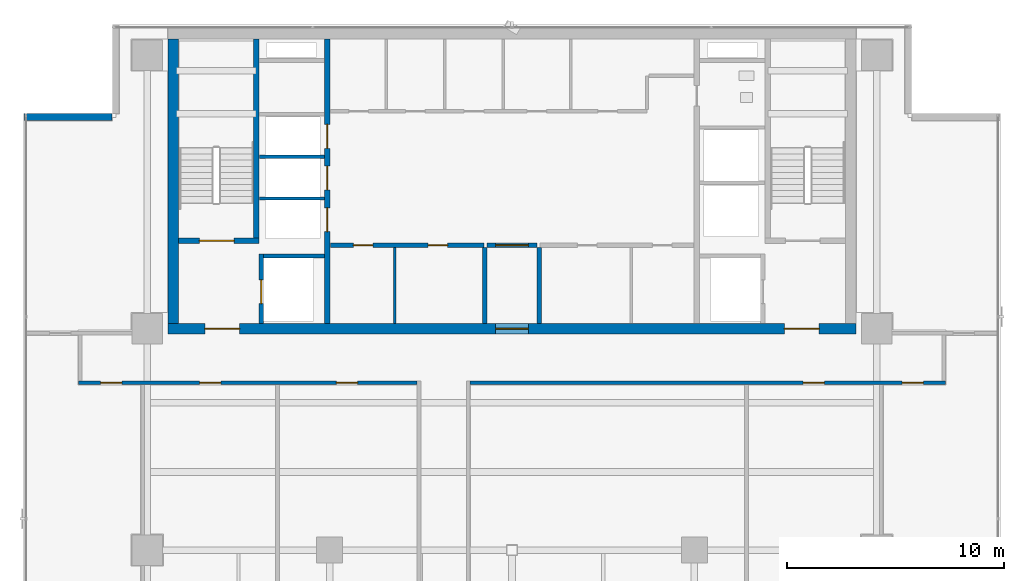
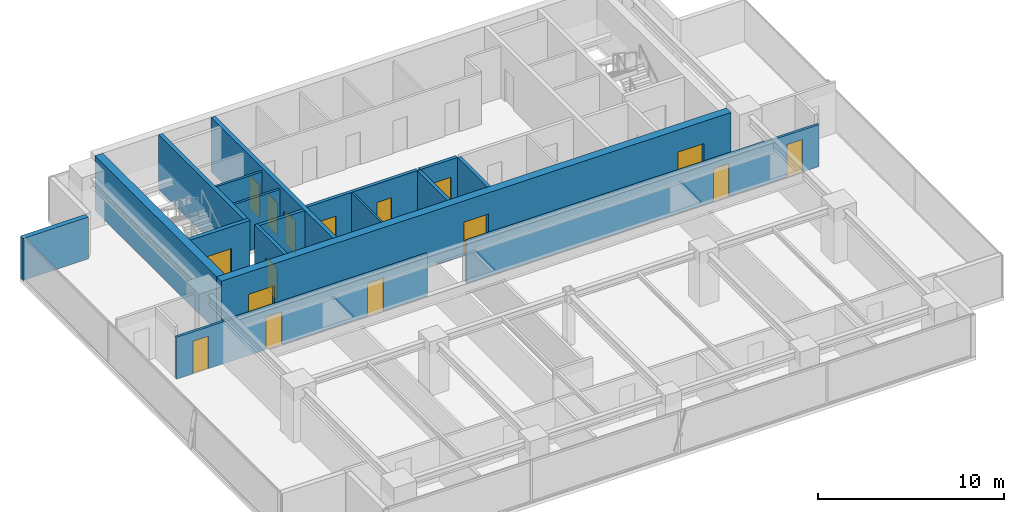
# One storey, part 20 of 26: 17 walls, 16 doors, 16 openings.
"""IFC4 building model written with IfcOpenShell, lengths in metres."""

from ifc_helpers import new_model, si_unit, direction, frame, frame_2d, origin, place, context, subcontext, project, spatial, rectangle, extrude, source, transform, mapped, material, layer, layer_set, type_object, element, fill, save


model = new_model("IFC4")

# Units and contexts
model_context = context("Model", 3, precision=1e-05, world=origin(), true_north=direction((0.0, 1.0)))
body_context = subcontext(model_context, "Body", "Model", "MODEL_VIEW")
ifc_project = project(units=[si_unit("LENGTHUNIT", "METRE"), si_unit("AREAUNIT", "SQUARE_METRE"), si_unit("VOLUMEUNIT", "CUBIC_METRE"), si_unit("PLANEANGLEUNIT", "RADIAN"), si_unit("MASSUNIT", "GRAM", prefix="KILO")], contexts=[model_context])

# Site, building, storey
site_placement = place(None, origin())
site = spatial("IfcSite", under=ifc_project, at=site_placement, CompositionType="ELEMENT")
building_placement = place(site_placement, origin())
building = spatial("IfcBuilding", under=site, at=building_placement, Name="Sumidabori Civic Tower", CompositionType="ELEMENT")
storey_placement = place(building_placement, frame((0.0, 0.0, 261.199951171875)))
storey = spatial("IfcBuildingStorey", under=building, at=storey_placement, Name="L68", CompositionType="ELEMENT", Elevation=261.199951171875)

# Wall
ifc_material_1 = material(Name="Concrete C50/60", Category="concrete")
ifc_layer_1 = layer(ifc_material_1, 0.199951171875, Name="Concrete C50/60")
ifc_layer_set_1 = layer_set([ifc_layer_1], Name="Concrete C50/60")
wall_type_1 = type_object("IfcWallType", Name="WL-SHAFT-200", PredefinedType="SHEAR", material=ifc_layer_set_1)
shared_shape_1 = source(origin(), body_context, "Body", "SweptSolid", [
    extrude(rectangle(XDim=2.824951171875, YDim=0.199951171875, at=frame_2d((1.41259765625, 0.0))), origin(), (0.0, 0.0, 1.0), 3.60009765625),
])
wall_1_placement = place(storey_placement, frame((-11.449951171875, 13.550048828125, 0.0), z_axis=(0.0, 0.0, 1.0), x_axis=(1.0, 0.0, 0.0)))
element("IfcWall", 1, at=wall_1_placement, inside=storey, type_object=wall_type_1, Name="Core Shear Wall L68 EL1-N", PredefinedType="SHEAR", context=body_context, shape_type="MappedRepresentation", body=[
    mapped(shared_shape_1, transform((0.0, 0.0, 0.0), x_axis=(1.0, 0.0, 0.0), y_axis=(0.0, 1.0, 0.0), z_axis=(0.0, 0.0, 1.0), scale=1.0)),
])

# Wall, openings, doors
ifc_layer_2 = layer(ifc_material_1, 0.5, Name="Concrete C50/60")
ifc_layer_set_2 = layer_set([ifc_layer_2], Name="Concrete C50/60")
wall_type_2 = type_object("IfcWallType", Name="WL-CORE-500", PredefinedType="SHEAR", material=ifc_layer_set_2)
shared_shape_2 = source(origin(), body_context, "Body", "SweptSolid", [
    extrude(rectangle(XDim=31.7001953125, YDim=0.5, at=frame_2d((15.85009765625, 0.0))), origin(), (0.0, 0.0, 1.0), 3.60009765625),
])
wall_2_placement = place(storey_placement, frame((-15.85009765625, 10.199951171875, 0.0), z_axis=(0.0, 0.0, 1.0), x_axis=(1.0, 0.0, 0.0)))
wall_2 = element("IfcWall", 2, at=wall_2_placement, inside=storey, type_object=wall_type_2, Name="Core Shear Wall L68 S", PredefinedType="SHEAR", context=body_context, shape_type="MappedRepresentation", body=[
    mapped(shared_shape_2, transform((0.0, 0.0, 0.0), x_axis=(1.0, 0.0, 0.0), y_axis=(0.0, 1.0, 0.0), z_axis=(0.0, 0.0, 1.0), scale=1.0)),
])
opening_1_placement = place(wall_2_placement, frame((1.699951171875, 0.0, 0.0)))
opening_1 = element("IfcOpeningElement", 3, at=opening_1_placement, cuts=wall_2, Name="Opening DR-FD4", PredefinedType="OPENING", context=body_context, shape_type="SweptSolid", body=[
    extrude(rectangle(XDim=1.60009765625, YDim=2.14990234375, at=frame_2d((0.800048828125, 1.074951171875))), frame((0.0, 0.261962890625, 0.0), z_axis=(0.0, -1.0, 0.0), x_axis=(1.0, 0.0, 0.0)), (0.0, 0.0, 1.0), 0.52392578125),
])
opening_2_placement = place(wall_2_placement, frame((28.39990234375, 0.0, 0.0)))
opening_2 = element("IfcOpeningElement", 4, at=opening_2_placement, cuts=wall_2, Name="Opening DR-FD4", PredefinedType="OPENING", context=body_context, shape_type="SweptSolid", body=[
    extrude(rectangle(XDim=1.60009765625, YDim=2.14990234375, at=frame_2d((0.800048828125, 1.074951171875))), frame((0.0, 0.261962890625, 0.0), z_axis=(0.0, -1.0, 0.0), x_axis=(1.0, 0.0, 0.0)), (0.0, 0.0, 1.0), 0.52392578125),
])
opening_3_placement = place(wall_2_placement, frame((15.10009765625, 0.0, 0.0)))
opening_3 = element("IfcOpeningElement", 5, at=opening_3_placement, cuts=wall_2, Name="Opening DR-FD3", PredefinedType="OPENING", context=body_context, shape_type="SweptSolid", body=[
    extrude(rectangle(XDim=1.5, YDim=2.199951171875, at=frame_2d((0.75, 1.10009765625))), frame((0.0, 0.261962890625, 0.0), z_axis=(0.0, -1.0, 0.0), x_axis=(1.0, 0.0, 0.0)), (0.0, 0.0, 1.0), 0.52392578125),
])
ifc_material_2 = material(Name="Steel SN490", Category="steel")
door_type_1 = type_object("IfcDoorType", Name="DR-FD4", OperationType="DOUBLE_DOOR_SINGLE_SWING", PredefinedType="DOOR", material=ifc_material_2)
shared_shape_3 = source(origin(), body_context, "Body", "SweptSolid", [
    extrude(rectangle(XDim=1.60009765625, YDim=2.14990234375, at=frame_2d((0.800048828125, 1.074951171875))), frame((0.0, 0.02490234375, 0.0), z_axis=(0.0, -1.0, 0.0), x_axis=(1.0, 0.0, 0.0)), (0.0, 0.0, 1.0), 0.050048828125),
])
door_1_placement = place(opening_1_placement, origin())
door_1 = element("IfcDoor", 6, at=door_1_placement, inside=storey, type_object=door_type_1, Name="Door DR:L68:ELOB-W", OperationType="DOUBLE_DOOR_SINGLE_SWING", OverallHeight=2.14990234375, OverallWidth=1.60009765625, PredefinedType="DOOR", context=body_context, shape_type="MappedRepresentation", body=[
    mapped(shared_shape_3, transform((0.0, 0.0, 0.0), x_axis=(1.0, 0.0, 0.0), y_axis=(0.0, 1.0, 0.0), z_axis=(0.0, 0.0, 1.0), scale=1.0)),
])
fill(opening_1, door_1)
door_2_placement = place(opening_2_placement, origin())
door_2 = element("IfcDoor", 7, at=door_2_placement, inside=storey, type_object=door_type_1, Name="Door DR:L68:ELOB-E", OperationType="DOUBLE_DOOR_SINGLE_SWING", OverallHeight=2.14990234375, OverallWidth=1.60009765625, PredefinedType="DOOR", context=body_context, shape_type="MappedRepresentation", body=[
    mapped(shared_shape_3, transform((0.0, 0.0, 0.0), x_axis=(1.0, 0.0, 0.0), y_axis=(0.0, 1.0, 0.0), z_axis=(0.0, 0.0, 1.0), scale=1.0)),
])
fill(opening_2, door_2)
door_type_2 = type_object("IfcDoorType", Name="DR-FD-DBL", OperationType="DOUBLE_DOOR_SINGLE_SWING", PredefinedType="DOOR", material=ifc_material_2)
shared_shape_4 = source(origin(), body_context, "Body", "SweptSolid", [
    extrude(rectangle(XDim=1.5, YDim=2.199951171875, at=frame_2d((0.75, 1.10009765625))), frame((0.0, 0.02490234375, 0.0), z_axis=(0.0, -1.0, 0.0), x_axis=(1.0, 0.0, 0.0)), (0.0, 0.0, 1.0), 0.050048828125),
])
door_3_placement = place(opening_3_placement, origin())
door_3 = element("IfcDoor", 8, at=door_3_placement, inside=storey, type_object=door_type_2, Name="Door DR:L68:THROAT-OUT", OperationType="DOUBLE_DOOR_SINGLE_SWING", OverallHeight=2.199951171875, OverallWidth=1.5, PredefinedType="DOOR", context=body_context, shape_type="MappedRepresentation", body=[
    mapped(shared_shape_4, transform((0.0, 0.0, 0.0), x_axis=(1.0, 0.0, 0.0), y_axis=(0.0, 1.0, 0.0), z_axis=(0.0, 0.0, 1.0), scale=1.0)),
])
fill(opening_3, door_3)

# Wall
shared_shape_5 = source(origin(), body_context, "Body", "SweptSolid", [
    extrude(rectangle(XDim=13.10009765625, YDim=0.5, at=frame_2d((6.550048828125, 0.0))), origin(), (0.0, 0.0, 1.0), 3.60009765625),
])
wall_3_placement = place(storey_placement, frame((-15.60009765625, 10.449951171875, 0.0), z_axis=(0.0, 0.0, 1.0), x_axis=(0.0, 1.0, 0.0)))
element("IfcWall", 9, at=wall_3_placement, inside=storey, type_object=wall_type_2, Name="Core Shear Wall L68 W", PredefinedType="SHEAR", context=body_context, shape_type="MappedRepresentation", body=[
    mapped(shared_shape_5, transform((0.0, 0.0, 0.0), x_axis=(1.0, 0.0, 0.0), y_axis=(0.0, 1.0, 0.0), z_axis=(0.0, 0.0, 1.0), scale=1.0)),
])

# Wall, openings, doors
ifc_layer_3 = layer(ifc_material_1, 0.25, Name="Concrete C50/60")
ifc_layer_set_3 = layer_set([ifc_layer_3], Name="Concrete C50/60")
wall_type_3 = type_object("IfcWallType", Name="WL-SHAFT-250", PredefinedType="SHEAR", material=ifc_layer_set_3)
shared_shape_6 = source(origin(), body_context, "Body", "SweptSolid", [
    extrude(rectangle(XDim=13.10009765625, YDim=0.25, at=frame_2d((6.550048828125, 0.0))), origin(), (0.0, 0.0, 1.0), 3.60009765625),
])
wall_4_placement = place(storey_placement, frame((-8.5, 10.449951171875, 0.0), z_axis=(0.0, 0.0, 1.0), x_axis=(0.0, 1.0, 0.0)))
wall_4 = element("IfcWall", 10, at=wall_4_placement, inside=storey, type_object=wall_type_3, Name="Core Shear Wall L68 WEB-W", PredefinedType="SHEAR", context=body_context, shape_type="MappedRepresentation", body=[
    mapped(shared_shape_6, transform((0.0, 0.0, 0.0), x_axis=(1.0, 0.0, 0.0), y_axis=(0.0, 1.0, 0.0), z_axis=(0.0, 0.0, 1.0), scale=1.0)),
])
opening_4_placement = place(wall_4_placement, frame((4.219970703125, 0.0, 0.0)))
opening_4 = element("IfcOpeningElement", 11, at=opening_4_placement, cuts=wall_4, Name="Opening LD-1", PredefinedType="OPENING", context=body_context, shape_type="SweptSolid", body=[
    extrude(rectangle(XDim=1.10009765625, YDim=2.14990234375, at=frame_2d((0.550048828125, 1.074951171875))), frame((0.0, 0.136962890625, 0.0), z_axis=(0.0, -1.0, 0.0), x_axis=(1.0, 0.0, 0.0)), (0.0, 0.0, 1.0), 0.27392578125),
])
opening_5_placement = place(wall_4_placement, frame((6.139892578125, 0.0, 0.0)))
opening_5 = element("IfcOpeningElement", 12, at=opening_5_placement, cuts=wall_4, Name="Opening LD-1", PredefinedType="OPENING", context=body_context, shape_type="SweptSolid", body=[
    extrude(rectangle(XDim=1.10009765625, YDim=2.14990234375, at=frame_2d((0.550048828125, 1.074951171875))), frame((0.0, 0.136962890625, 0.0), z_axis=(0.0, -1.0, 0.0), x_axis=(1.0, 0.0, 0.0)), (0.0, 0.0, 1.0), 0.27392578125),
])
opening_6_placement = place(wall_4_placement, frame((8.06005859375, 0.0, 0.0)))
opening_6 = element("IfcOpeningElement", 13, at=opening_6_placement, cuts=wall_4, Name="Opening LD-1", PredefinedType="OPENING", context=body_context, shape_type="SweptSolid", body=[
    extrude(rectangle(XDim=1.10009765625, YDim=2.14990234375, at=frame_2d((0.550048828125, 1.074951171875))), frame((0.0, 0.136962890625, 0.0), z_axis=(0.0, -1.0, 0.0), x_axis=(1.0, 0.0, 0.0)), (0.0, 0.0, 1.0), 0.27392578125),
])
ifc_material_3 = material(Name="Stainless Steel Hairline Finish", Category="steel")
door_type_3 = type_object("IfcDoorType", Name="DR-LD1", OperationType="DOUBLE_DOOR_SLIDING", PredefinedType="DOOR", material=ifc_material_3)
shared_shape_7 = source(origin(), body_context, "Body", "SweptSolid", [
    extrude(rectangle(XDim=1.10009765625, YDim=2.14990234375, at=frame_2d((0.550048828125, 1.074951171875))), frame((0.0, 0.02490234375, 0.0), z_axis=(0.0, -1.0, 0.0), x_axis=(1.0, 0.0, 0.0)), (0.0, 0.0, 1.0), 0.050048828125),
])
door_4_placement = place(opening_4_placement, origin())
door_4 = element("IfcDoor", 14, at=door_4_placement, inside=storey, type_object=door_type_3, Name="Door DR:L68:LD-PLH1", OperationType="DOUBLE_DOOR_SLIDING", OverallHeight=2.14990234375, OverallWidth=1.10009765625, PredefinedType="DOOR", context=body_context, shape_type="MappedRepresentation", body=[
    mapped(shared_shape_7, transform((0.0, 0.0, 0.0), x_axis=(1.0, 0.0, 0.0), y_axis=(0.0, 1.0, 0.0), z_axis=(0.0, 0.0, 1.0), scale=1.0)),
])
fill(opening_4, door_4)
door_5_placement = place(opening_5_placement, origin())
door_5 = element("IfcDoor", 15, at=door_5_placement, inside=storey, type_object=door_type_3, Name="Door DR:L68:LD-PLH2", OperationType="DOUBLE_DOOR_SLIDING", OverallHeight=2.14990234375, OverallWidth=1.10009765625, PredefinedType="DOOR", context=body_context, shape_type="MappedRepresentation", body=[
    mapped(shared_shape_7, transform((0.0, 0.0, 0.0), x_axis=(1.0, 0.0, 0.0), y_axis=(0.0, 1.0, 0.0), z_axis=(0.0, 0.0, 1.0), scale=1.0)),
])
fill(opening_5, door_5)
door_6_placement = place(opening_6_placement, origin())
door_6 = element("IfcDoor", 16, at=door_6_placement, inside=storey, type_object=door_type_3, Name="Door DR:L68:LD-PLH3", OperationType="DOUBLE_DOOR_SLIDING", OverallHeight=2.14990234375, OverallWidth=1.10009765625, PredefinedType="DOOR", context=body_context, shape_type="MappedRepresentation", body=[
    mapped(shared_shape_7, transform((0.0, 0.0, 0.0), x_axis=(1.0, 0.0, 0.0), y_axis=(0.0, 1.0, 0.0), z_axis=(0.0, 0.0, 1.0), scale=1.0)),
])
fill(opening_6, door_6)

# Wall, opening, door
shared_shape_8 = source(origin(), body_context, "Body", "SweptSolid", [
    extrude(rectangle(XDim=3.705078125, YDim=0.25, at=frame_2d((1.8525390625, 0.0))), origin(), (0.0, 0.0, 1.0), 3.60009765625),
])
wall_5_placement = place(storey_placement, frame((-15.35009765625, 14.25, 0.0), z_axis=(0.0, 0.0, 1.0), x_axis=(1.0, 0.0, 0.0)))
wall_5 = element("IfcWall", 17, at=wall_5_placement, inside=storey, type_object=wall_type_3, Name="Core Shear Wall L68 ST1-S", PredefinedType="SHEAR", context=body_context, shape_type="MappedRepresentation", body=[
    mapped(shared_shape_8, transform((0.0, 0.0, 0.0), x_axis=(1.0, 0.0, 0.0), y_axis=(0.0, 1.0, 0.0), z_axis=(0.0, 0.0, 1.0), scale=1.0)),
])
opening_7_placement = place(wall_5_placement, frame((0.949951171875, 0.0, 0.0)))
opening_7 = element("IfcOpeningElement", 18, at=opening_7_placement, cuts=wall_5, Name="Opening DR-FD4", PredefinedType="OPENING", context=body_context, shape_type="SweptSolid", body=[
    extrude(rectangle(XDim=1.60009765625, YDim=2.14990234375, at=frame_2d((0.800048828125, 1.074951171875))), frame((0.0, 0.136962890625, 0.0), z_axis=(0.0, -1.0, 0.0), x_axis=(1.0, 0.0, 0.0)), (0.0, 0.0, 1.0), 0.27392578125),
])
door_7_placement = place(opening_7_placement, origin())
door_7 = element("IfcDoor", 19, at=door_7_placement, inside=storey, type_object=door_type_1, Name="Door DR:L68:ST1", OperationType="DOUBLE_DOOR_SINGLE_SWING", OverallHeight=2.14990234375, OverallWidth=1.60009765625, PredefinedType="DOOR", context=body_context, shape_type="MappedRepresentation", body=[
    mapped(shared_shape_3, transform((0.0, 0.0, 0.0), x_axis=(1.0, 0.0, 0.0), y_axis=(0.0, 1.0, 0.0), z_axis=(0.0, 0.0, 1.0), scale=1.0)),
])
fill(opening_7, door_7)

# Wall
shared_shape_9 = source(origin(), body_context, "Body", "SweptSolid", [
    extrude(rectangle(XDim=9.175048828125, YDim=0.25, at=frame_2d((4.58740234375, 0.0))), origin(), (0.0, 0.0, 1.0), 3.60009765625),
])
wall_6_placement = place(storey_placement, frame((-11.77001953125, 14.375, 0.0), z_axis=(0.0, 0.0, 1.0), x_axis=(0.0, 1.0, 0.0)))
element("IfcWall", 20, at=wall_6_placement, inside=storey, type_object=wall_type_3, Name="Core Shear Wall L68 ST1-E", PredefinedType="SHEAR", context=body_context, shape_type="MappedRepresentation", body=[
    mapped(shared_shape_9, transform((0.0, 0.0, 0.0), x_axis=(1.0, 0.0, 0.0), y_axis=(0.0, 1.0, 0.0), z_axis=(0.0, 0.0, 1.0), scale=1.0)),
])

# Wall, opening, door
shared_shape_10 = source(origin(), body_context, "Body", "SweptSolid", [
    extrude(rectangle(XDim=3.199951171875, YDim=0.199951171875, at=frame_2d((1.60009765625, 0.0))), origin(), (0.0, 0.0, 1.0), 3.60009765625),
])
wall_7_placement = place(storey_placement, frame((-11.550048828125, 10.449951171875, 0.0), z_axis=(0.0, 0.0, 1.0), x_axis=(0.0, 1.0, 0.0)))
wall_7 = element("IfcWall", 21, at=wall_7_placement, inside=storey, type_object=wall_type_1, Name="Core Shear Wall L68 EL1-W", PredefinedType="SHEAR", context=body_context, shape_type="MappedRepresentation", body=[
    mapped(shared_shape_10, transform((0.0, 0.0, 0.0), x_axis=(1.0, 0.0, 0.0), y_axis=(0.0, 1.0, 0.0), z_axis=(0.0, 0.0, 1.0), scale=1.0)),
])
opening_8_placement = place(wall_7_placement, frame((0.89990234375, 0.0, 0.0)))
opening_8 = element("IfcOpeningElement", 22, at=opening_8_placement, cuts=wall_7, Name="Opening LD-2", PredefinedType="OPENING", context=body_context, shape_type="SweptSolid", body=[
    extrude(rectangle(XDim=1.10009765625, YDim=2.14990234375, at=frame_2d((0.550048828125, 1.074951171875))), frame((0.0, 0.11181640625, 0.0), z_axis=(0.0, -1.0, 0.0), x_axis=(1.0, 0.0, 0.0)), (0.0, 0.0, 1.0), 0.223876953125),
])
door_type_4 = type_object("IfcDoorType", Name="DR-LD2", OperationType="DOUBLE_DOOR_SLIDING", PredefinedType="DOOR", material=ifc_material_3)
door_8_placement = place(opening_8_placement, origin())
door_8 = element("IfcDoor", 23, at=door_8_placement, inside=storey, type_object=door_type_4, Name="Door DR:L68:LD-EL1", OperationType="DOUBLE_DOOR_SLIDING", OverallHeight=2.14990234375, OverallWidth=1.10009765625, PredefinedType="DOOR", context=body_context, shape_type="MappedRepresentation", body=[
    mapped(shared_shape_7, transform((0.0, 0.0, 0.0), x_axis=(1.0, 0.0, 0.0), y_axis=(0.0, 1.0, 0.0), z_axis=(0.0, 0.0, 1.0), scale=1.0)),
])
fill(opening_8, door_8)

# Walls
ifc_material_4 = material(Name="Precast concrete C40/50", Category="concrete")
ifc_layer_4 = layer(ifc_material_4, 0.300048828125, Name="Precast concrete C40/50")
ifc_layer_set_4 = layer_set([ifc_layer_4], Name="Precast concrete C40/50")
wall_type_4 = type_object("IfcWallType", Name="WL-EXT-POD300", PredefinedType="STANDARD", material=ifc_layer_set_4)
shared_shape_11 = source(origin(), body_context, "Body", "SweptSolid", [
    extrude(rectangle(XDim=4.06005859375, YDim=0.300048828125, at=frame_2d((2.030029296875, 0.0))), origin(), (0.0, 0.0, 1.0), 2.75),
])
wall_8_placement = place(storey_placement, frame((-18.419921875, 19.949951171875, 0.0), z_axis=(0.0, 0.0, 1.0), x_axis=(-1.0, 0.0, 0.0)))
element("IfcWall", 24, at=wall_8_placement, inside=storey, type_object=wall_type_4, Name="Notched Corner Spandrel Band L68-09", PredefinedType="STANDARD", context=body_context, shape_type="MappedRepresentation", body=[
    mapped(shared_shape_11, transform((0.0, 0.0, 0.0), x_axis=(1.0, 0.0, 0.0), y_axis=(0.0, 1.0, 0.0), z_axis=(0.0, 0.0, 1.0), scale=1.0)),
])
ifc_material_5 = material(Name="Gypsum Plasterboard Acoustic Partition")
ifc_layer_5 = layer(ifc_material_5, 0.14990234375, Name="Gypsum Plasterboard Acoustic Partition")
ifc_layer_set_5 = layer_set([ifc_layer_5], Name="Gypsum Plasterboard Acoustic Partition")
wall_type_5 = type_object("IfcWallType", Name="WL-PART-150", PredefinedType="PARTITIONING", material=ifc_layer_set_5)
shared_shape_12 = source(origin(), body_context, "Body", "SweptSolid", [
    extrude(rectangle(XDim=3.010009765625, YDim=0.14990234375, at=frame_2d((1.5048828125, 0.0))), origin(), (0.0, 0.0, 1.0), 3.3701171875),
])
for number, where, z_axis, x_axis, name in (
    (25, (-11.639892578125, 16.199951171875, 0.0), (0.0, 0.0, 1.0), (1.0, 0.0, 0.0), "Interior Partition WL:L68:DIV-PLH1"),
    (26, (-11.639892578125, 18.1201171875, 0.0), (0.0, 0.0, 1.0), (1.0, 0.0, 0.0), "Interior Partition WL:L68:DIV-PLH2"),
):
    element("IfcWall", number, at=place(storey_placement, frame(where, z_axis=z_axis, x_axis=x_axis)), inside=storey, type_object=wall_type_5, Name=name, PredefinedType="PARTITIONING", context=body_context, shape_type="MappedRepresentation", body=[
        mapped(shared_shape_12, transform((0.0, 0.0, 0.0), x_axis=(1.0, 0.0, 0.0), y_axis=(0.0, 1.0, 0.0), z_axis=(0.0, 0.0, 1.0), scale=1.0)),
    ])

# Wall, openings, doors
ifc_material_6 = material(Name="Gypsum Plasterboard Fire Partition")
ifc_layer_6 = layer(ifc_material_6, 0.199951171875, Name="Gypsum Plasterboard Fire Partition")
ifc_layer_set_6 = layer_set([ifc_layer_6], Name="Gypsum Plasterboard Fire Partition")
wall_type_6 = type_object("IfcWallType", Name="WL-PART-FIRE", PredefinedType="PARTITIONING", material=ifc_layer_set_6)
shared_shape_13 = source(origin(), body_context, "Body", "SweptSolid", [
    extrude(rectangle(XDim=7.070068359375, YDim=0.199951171875, at=frame_2d((3.53515625, 0.0))), origin(), (0.0, 0.0, 1.0), 3.3701171875),
])
wall_9_placement = place(storey_placement, frame((-8.3701171875, 14.050048828125, 0.0), z_axis=(0.0, 0.0, 1.0), x_axis=(1.0, 0.0, 0.0)))
wall_9 = element("IfcWall", 27, at=wall_9_placement, inside=storey, type_object=wall_type_6, Name="Interior Partition WL:L68:CBAND-SW", PredefinedType="PARTITIONING", context=body_context, shape_type="MappedRepresentation", body=[
    mapped(shared_shape_13, transform((0.0, 0.0, 0.0), x_axis=(1.0, 0.0, 0.0), y_axis=(0.0, 1.0, 0.0), z_axis=(0.0, 0.0, 1.0), scale=1.0)),
])
opening_9_placement = place(wall_9_placement, frame((1.06005859375, 0.0, 0.0)))
opening_9 = element("IfcOpeningElement", 28, at=opening_9_placement, cuts=wall_9, Name="Opening DR-1", PredefinedType="OPENING", context=body_context, shape_type="SweptSolid", body=[
    extrude(rectangle(XDim=0.89990234375, YDim=2.14990234375, at=frame_2d((0.449951171875, 1.074951171875))), frame((0.0, 0.11181640625, 0.0), z_axis=(0.0, -1.0, 0.0), x_axis=(1.0, 0.0, 0.0)), (0.0, 0.0, 1.0), 0.223876953125),
])
opening_10_placement = place(wall_9_placement, frame((4.510009765625, 0.0, 0.0)))
opening_10 = element("IfcOpeningElement", 29, at=opening_10_placement, cuts=wall_9, Name="Opening DR-1", PredefinedType="OPENING", context=body_context, shape_type="SweptSolid", body=[
    extrude(rectangle(XDim=0.89990234375, YDim=2.14990234375, at=frame_2d((0.449951171875, 1.074951171875))), frame((0.0, 0.11181640625, 0.0), z_axis=(0.0, -1.0, 0.0), x_axis=(1.0, 0.0, 0.0)), (0.0, 0.0, 1.0), 0.223876953125),
])
ifc_material_7 = material(Name="Japanese Hinoki Timber", Category="wood")
door_type_5 = type_object("IfcDoorType", Name="DR-INT-900", OperationType="NOTDEFINED", PredefinedType="DOOR", material=ifc_material_7)
shared_shape_14 = source(origin(), body_context, "Body", "SweptSolid", [
    extrude(rectangle(XDim=0.89990234375, YDim=2.14990234375, at=frame_2d((0.449951171875, 1.074951171875))), frame((0.0, 0.02490234375, 0.0), z_axis=(0.0, -1.0, 0.0), x_axis=(1.0, 0.0, 0.0)), (0.0, 0.0, 1.0), 0.050048828125),
])
door_9_placement = place(opening_9_placement, origin())
door_9 = element("IfcDoor", 30, at=door_9_placement, inside=storey, type_object=door_type_5, Name="Door DR:L68:REC-B1A", OperationType="SINGLE_SWING_LEFT", OverallHeight=2.14990234375, OverallWidth=0.89990234375, PredefinedType="DOOR", context=body_context, shape_type="MappedRepresentation", body=[
    mapped(shared_shape_14, transform((0.0, 0.0, 0.0), x_axis=(1.0, 0.0, 0.0), y_axis=(0.0, 1.0, 0.0), z_axis=(0.0, 0.0, 1.0), scale=1.0)),
])
fill(opening_9, door_9)
door_10_placement = place(opening_10_placement, origin())
door_10 = element("IfcDoor", 31, at=door_10_placement, inside=storey, type_object=door_type_5, Name="Door DR:L68:REC-B1B", OperationType="SINGLE_SWING_RIGHT", OverallHeight=2.14990234375, OverallWidth=0.89990234375, PredefinedType="DOOR", context=body_context, shape_type="MappedRepresentation", body=[
    mapped(shared_shape_14, transform((0.0, 0.0, 0.0), x_axis=(1.0, 0.0, 0.0), y_axis=(0.0, 1.0, 0.0), z_axis=(0.0, 0.0, 1.0), scale=1.0)),
])
fill(opening_10, door_10)

# Walls
shared_shape_15 = source(origin(), body_context, "Body", "SweptSolid", [
    extrude(rectangle(XDim=3.489990234375, YDim=0.199951171875, at=frame_2d((1.7451171875, 0.0))), origin(), (0.0, 0.0, 1.0), 3.3701171875),
])
for number, where, z_axis, x_axis, name in (
    (32, (-1.25, 10.449951171875, 0.0), (0.0, 0.0, 1.0), (0.0, 1.0, 0.0), "Interior Partition WL:L68:THROAT-W"),
    (33, (1.25, 10.449951171875, 0.0), (0.0, 0.0, 1.0), (0.0, 1.0, 0.0), "Interior Partition WL:L68:THROAT-E"),
):
    element("IfcWall", number, at=place(storey_placement, frame(where, z_axis=z_axis, x_axis=x_axis)), inside=storey, type_object=wall_type_6, Name=name, PredefinedType="PARTITIONING", context=body_context, shape_type="MappedRepresentation", body=[
        mapped(shared_shape_15, transform((0.0, 0.0, 0.0), x_axis=(1.0, 0.0, 0.0), y_axis=(0.0, 1.0, 0.0), z_axis=(0.0, 0.0, 1.0), scale=1.0)),
    ])

# Wall, opening, door
shared_shape_16 = source(origin(), body_context, "Body", "SweptSolid", [
    extrude(rectangle(XDim=2.2998046875, YDim=0.199951171875, at=frame_2d((1.14990234375, 0.0))), origin(), (0.0, 0.0, 1.0), 3.3701171875),
])
wall_10_placement = place(storey_placement, frame((-1.14990234375, 14.050048828125, 0.0), z_axis=(0.0, 0.0, 1.0), x_axis=(1.0, 0.0, 0.0)))
wall_10 = element("IfcWall", 34, at=wall_10_placement, inside=storey, type_object=wall_type_6, Name="Interior Partition WL:L68:THROAT-N", PredefinedType="PARTITIONING", context=body_context, shape_type="MappedRepresentation", body=[
    mapped(shared_shape_16, transform((0.0, 0.0, 0.0), x_axis=(1.0, 0.0, 0.0), y_axis=(0.0, 1.0, 0.0), z_axis=(0.0, 0.0, 1.0), scale=1.0)),
])
opening_11_placement = place(wall_10_placement, frame((0.39990234375, 0.0, 0.0)))
opening_11 = element("IfcOpeningElement", 35, at=opening_11_placement, cuts=wall_10, Name="Opening DR-FD3", PredefinedType="OPENING", context=body_context, shape_type="SweptSolid", body=[
    extrude(rectangle(XDim=1.5, YDim=2.199951171875, at=frame_2d((0.75, 1.10009765625))), frame((0.0, 0.11181640625, 0.0), z_axis=(0.0, -1.0, 0.0), x_axis=(1.0, 0.0, 0.0)), (0.0, 0.0, 1.0), 0.223876953125),
])
door_11_placement = place(opening_11_placement, origin())
door_11 = element("IfcDoor", 36, at=door_11_placement, inside=storey, type_object=door_type_2, Name="Door DR:L68:THROAT-IN", OperationType="DOUBLE_DOOR_SINGLE_SWING", OverallHeight=2.199951171875, OverallWidth=1.5, PredefinedType="DOOR", context=body_context, shape_type="MappedRepresentation", body=[
    mapped(shared_shape_4, transform((0.0, 0.0, 0.0), x_axis=(1.0, 0.0, 0.0), y_axis=(0.0, 1.0, 0.0), z_axis=(0.0, 0.0, 1.0), scale=1.0)),
])
fill(opening_11, door_11)

# Wall
ifc_layer_7 = layer(ifc_material_5, 0.1201171875, Name="Gypsum Plasterboard Acoustic Partition")
ifc_layer_set_7 = layer_set([ifc_layer_7], Name="Gypsum Plasterboard Acoustic Partition")
wall_type_7 = type_object("IfcWallType", Name="WL-PART-120", PredefinedType="PARTITIONING", material=ifc_layer_set_7)
shared_shape_17 = source(origin(), body_context, "Body", "SweptSolid", [
    extrude(rectangle(XDim=3.489990234375, YDim=0.1201171875, at=frame_2d((1.7451171875, 0.0))), origin(), (0.0, 0.0, 1.0), 3.3701171875),
])
wall_11_placement = place(storey_placement, frame((-5.39990234375, 10.449951171875, 0.0), z_axis=(0.0, 0.0, 1.0), x_axis=(0.0, 1.0, 0.0)))
element("IfcWall", 37, at=wall_11_placement, inside=storey, type_object=wall_type_7, Name="Interior Partition WL:L68:REC-B1-SP", PredefinedType="PARTITIONING", context=body_context, shape_type="MappedRepresentation", body=[
    mapped(shared_shape_17, transform((0.0, 0.0, 0.0), x_axis=(1.0, 0.0, 0.0), y_axis=(0.0, 1.0, 0.0), z_axis=(0.0, 0.0, 1.0), scale=1.0)),
])

# Wall, openings, doors
ifc_layer_8 = layer(ifc_material_5, 0.1650390625, Name="Gypsum Plasterboard Acoustic Partition")
ifc_layer_set_8 = layer_set([ifc_layer_8], Name="Gypsum Plasterboard Acoustic Partition")
wall_type_8 = type_object("IfcWallType", Name="WL-PART-165", PredefinedType="PARTITIONING", material=ifc_layer_set_8)
shared_shape_18 = source(origin(), body_context, "Body", "SweptSolid", [
    extrude(rectangle(XDim=15.60009765625, YDim=0.1650390625, at=frame_2d((7.800048828125, 0.0))), origin(), (0.0, 0.0, 1.0), 2.755126953125),
])
wall_12_placement = place(storey_placement, frame((-19.965087890625, 7.717529296875, 0.0), z_axis=(0.0, 0.0, 1.0), x_axis=(1.0, 0.0, 0.0)))
wall_12 = element("IfcWall", 38, at=wall_12_placement, inside=storey, type_object=wall_type_8, Name="Interior Partition WL:L68:CORR-SW", PredefinedType="PARTITIONING", context=body_context, shape_type="MappedRepresentation", body=[
    mapped(shared_shape_18, transform((0.0, 0.0, 0.0), x_axis=(1.0, 0.0, 0.0), y_axis=(0.0, 1.0, 0.0), z_axis=(0.0, 0.0, 1.0), scale=1.0)),
])
opening_12_placement = place(wall_12_placement, frame((1.013916015625, 0.0, 0.0)))
opening_12 = element("IfcOpeningElement", 39, at=opening_12_placement, cuts=wall_12, Name="Opening DR-3", PredefinedType="OPENING", context=body_context, shape_type="SweptSolid", body=[
    extrude(rectangle(XDim=0.97998046875, YDim=2.14990234375, at=frame_2d((0.489990234375, 1.074951171875))), frame((0.0, 0.094482421875, 0.0), z_axis=(0.0, -1.0, 0.0), x_axis=(1.0, 0.0, 0.0)), (0.0, 0.0, 1.0), 0.18896484375),
])
opening_13_placement = place(wall_12_placement, frame((5.574951171875, 0.0, 0.0)))
opening_13 = element("IfcOpeningElement", 40, at=opening_13_placement, cuts=wall_12, Name="Opening DR-3", PredefinedType="OPENING", context=body_context, shape_type="SweptSolid", body=[
    extrude(rectangle(XDim=0.97998046875, YDim=2.14990234375, at=frame_2d((0.489990234375, 1.074951171875))), frame((0.0, 0.094482421875, 0.0), z_axis=(0.0, -1.0, 0.0), x_axis=(1.0, 0.0, 0.0)), (0.0, 0.0, 1.0), 0.18896484375),
])
opening_14_placement = place(wall_12_placement, frame((11.873779296875, 0.0, 0.0)))
opening_14 = element("IfcOpeningElement", 41, at=opening_14_placement, cuts=wall_12, Name="Opening DR-3", PredefinedType="OPENING", context=body_context, shape_type="SweptSolid", body=[
    extrude(rectangle(XDim=0.97998046875, YDim=2.14990234375, at=frame_2d((0.489990234375, 1.074951171875))), frame((0.0, 0.094482421875, 0.0), z_axis=(0.0, -1.0, 0.0), x_axis=(1.0, 0.0, 0.0)), (0.0, 0.0, 1.0), 0.18896484375),
])
door_type_6 = type_object("IfcDoorType", Name="DR-INT-980", OperationType="NOTDEFINED", PredefinedType="DOOR", material=ifc_material_7)
shared_shape_19 = source(origin(), body_context, "Body", "SweptSolid", [
    extrude(rectangle(XDim=0.97998046875, YDim=2.14990234375, at=frame_2d((0.489990234375, 1.074951171875))), frame((0.0, 0.02490234375, 0.0), z_axis=(0.0, -1.0, 0.0), x_axis=(1.0, 0.0, 0.0)), (0.0, 0.0, 1.0), 0.050048828125),
])
door_12_placement = place(opening_12_placement, origin())
door_12 = element("IfcDoor", 42, at=door_12_placement, inside=storey, type_object=door_type_6, Name="Door DR:L68:D01", OperationType="SINGLE_SWING_LEFT", OverallHeight=2.14990234375, OverallWidth=0.97998046875, PredefinedType="DOOR", context=body_context, shape_type="MappedRepresentation", body=[
    mapped(shared_shape_19, transform((0.0, 0.0, 0.0), x_axis=(1.0, 0.0, 0.0), y_axis=(0.0, 1.0, 0.0), z_axis=(0.0, 0.0, 1.0), scale=1.0)),
])
fill(opening_12, door_12)
door_13_placement = place(opening_13_placement, origin())
door_13 = element("IfcDoor", 43, at=door_13_placement, inside=storey, type_object=door_type_6, Name="Door DR:L68:D03", OperationType="SINGLE_SWING_LEFT", OverallHeight=2.14990234375, OverallWidth=0.97998046875, PredefinedType="DOOR", context=body_context, shape_type="MappedRepresentation", body=[
    mapped(shared_shape_19, transform((0.0, 0.0, 0.0), x_axis=(1.0, 0.0, 0.0), y_axis=(0.0, 1.0, 0.0), z_axis=(0.0, 0.0, 1.0), scale=1.0)),
])
fill(opening_13, door_13)
door_14_placement = place(opening_14_placement, origin())
door_14 = element("IfcDoor", 44, at=door_14_placement, inside=storey, type_object=door_type_6, Name="Door DR:L68:D05", OperationType="SINGLE_SWING_LEFT", OverallHeight=2.14990234375, OverallWidth=0.97998046875, PredefinedType="DOOR", context=body_context, shape_type="MappedRepresentation", body=[
    mapped(shared_shape_19, transform((0.0, 0.0, 0.0), x_axis=(1.0, 0.0, 0.0), y_axis=(0.0, 1.0, 0.0), z_axis=(0.0, 0.0, 1.0), scale=1.0)),
])
fill(opening_14, door_14)

shared_shape_20 = source(origin(), body_context, "Body", "SweptSolid", [
    extrude(rectangle(XDim=21.900146484375, YDim=0.1650390625, at=frame_2d((10.9501953125, 0.0))), origin(), (0.0, 0.0, 1.0), 2.755126953125),
])
wall_13_placement = place(storey_placement, frame((-1.93505859375, 7.717529296875, 0.0), z_axis=(0.0, 0.0, 1.0), x_axis=(1.0, 0.0, 0.0)))
wall_13 = element("IfcWall", 45, at=wall_13_placement, inside=storey, type_object=wall_type_8, Name="Interior Partition WL:L68:CORR-SE", PredefinedType="PARTITIONING", context=body_context, shape_type="MappedRepresentation", body=[
    mapped(shared_shape_20, transform((0.0, 0.0, 0.0), x_axis=(1.0, 0.0, 0.0), y_axis=(0.0, 1.0, 0.0), z_axis=(0.0, 0.0, 1.0), scale=1.0)),
])
opening_15_placement = place(wall_13_placement, frame((19.90625, 0.0, 0.0)))
opening_15 = element("IfcOpeningElement", 46, at=opening_15_placement, cuts=wall_13, Name="Opening DR-3", PredefinedType="OPENING", context=body_context, shape_type="SweptSolid", body=[
    extrude(rectangle(XDim=0.97998046875, YDim=2.14990234375, at=frame_2d((0.489990234375, 1.074951171875))), frame((0.0, 0.094482421875, 0.0), z_axis=(0.0, -1.0, 0.0), x_axis=(1.0, 0.0, 0.0)), (0.0, 0.0, 1.0), 0.18896484375),
])
opening_16_placement = place(wall_13_placement, frame((15.344970703125, 0.0, 0.0)))
opening_16 = element("IfcOpeningElement", 47, at=opening_16_placement, cuts=wall_13, Name="Opening DR-3", PredefinedType="OPENING", context=body_context, shape_type="SweptSolid", body=[
    extrude(rectangle(XDim=0.97998046875, YDim=2.14990234375, at=frame_2d((0.489990234375, 1.074951171875))), frame((0.0, 0.094482421875, 0.0), z_axis=(0.0, -1.0, 0.0), x_axis=(1.0, 0.0, 0.0)), (0.0, 0.0, 1.0), 0.18896484375),
])
door_15_placement = place(opening_15_placement, origin())
door_15 = element("IfcDoor", 48, at=door_15_placement, inside=storey, type_object=door_type_6, Name="Door DR:L68:D02", OperationType="SINGLE_SWING_RIGHT", OverallHeight=2.14990234375, OverallWidth=0.97998046875, PredefinedType="DOOR", context=body_context, shape_type="MappedRepresentation", body=[
    mapped(shared_shape_19, transform((0.0, 0.0, 0.0), x_axis=(1.0, 0.0, 0.0), y_axis=(0.0, 1.0, 0.0), z_axis=(0.0, 0.0, 1.0), scale=1.0)),
])
fill(opening_15, door_15)
door_16_placement = place(opening_16_placement, origin())
door_16 = element("IfcDoor", 49, at=door_16_placement, inside=storey, type_object=door_type_6, Name="Door DR:L68:D04", OperationType="SINGLE_SWING_RIGHT", OverallHeight=2.14990234375, OverallWidth=0.97998046875, PredefinedType="DOOR", context=body_context, shape_type="MappedRepresentation", body=[
    mapped(shared_shape_19, transform((0.0, 0.0, 0.0), x_axis=(1.0, 0.0, 0.0), y_axis=(0.0, 1.0, 0.0), z_axis=(0.0, 0.0, 1.0), scale=1.0)),
])
fill(opening_16, door_16)

save(model, "model.ifc")
